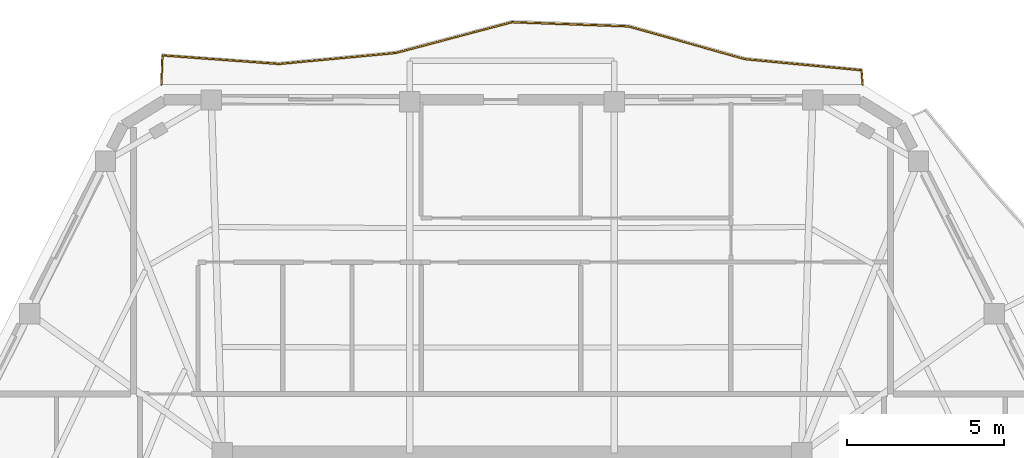
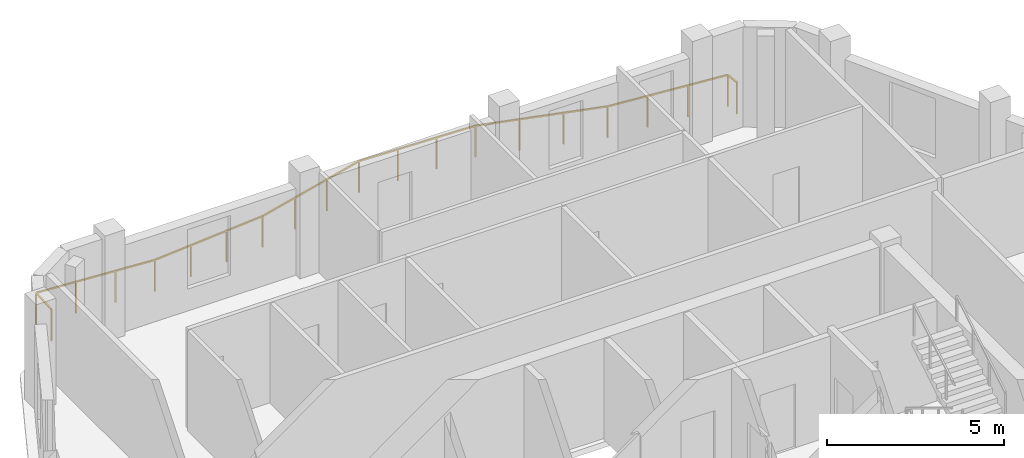
# One storey, part 10 of 10: 1 railing.
"""IFC4 building model written with IfcOpenShell, lengths in metres."""

from ifc_helpers import new_model, si_unit, direction, frame, origin, origin_2d, place, context, subcontext, project, spatial, rectangle, extrude, material, type_object, element, save


model = new_model("IFC4")

# Units and contexts
model_context = context("Model", 3, precision=1e-05, world=origin(), true_north=direction((0.0, 1.0)))
body_context = subcontext(model_context, "Body", "Model", "MODEL_VIEW")
ifc_project = project(units=[si_unit("LENGTHUNIT", "METRE"), si_unit("AREAUNIT", "SQUARE_METRE"), si_unit("VOLUMEUNIT", "CUBIC_METRE"), si_unit("PLANEANGLEUNIT", "RADIAN"), si_unit("MASSUNIT", "GRAM", prefix="KILO")], contexts=[model_context])

# Site, building, storey
site_placement = place(None, origin())
site = spatial("IfcSite", under=ifc_project, at=site_placement, CompositionType="ELEMENT")
building_placement = place(site_placement, origin())
building = spatial("IfcBuilding", under=site, at=building_placement, Name="Cinnabar Lancet Tower", CompositionType="ELEMENT")
storey_placement = place(building_placement, frame((0.0, 0.0, 263.5)))
storey = spatial("IfcBuildingStorey", under=building, at=storey_placement, Name="L70", CompositionType="ELEMENT", Elevation=263.5)

# Railing
ifc_material = material(Name="Laminated safety glass and bronze stainless steel balustrade", Category="steel")
railing_type = type_object("IfcRailingType", Name="ENV-RLG-BAL-1100", PredefinedType="BALUSTRADE", material=ifc_material)
railing_placement = place(storey_placement, frame((43.56396484375, 44.85009765625, 0.0)))
element("IfcRailing", 1, at=railing_placement, inside=storey, type_object=railing_type, Name="L70 Face 4 Wave Balcony Balustrade", PredefinedType="BALUSTRADE", context=body_context, shape_type="SweptSolid", body=[
    extrude(rectangle(XDim=0.048095703125, YDim=0.048095703125, at=origin_2d()), frame((0.0, 0.0, 1.076171875), z_axis=(-0.076207457844, 0.997091983404, 0.0), x_axis=(-0.997091983404, -0.076207457844, 0.0)), (0.0, 0.0, 1.0), 0.4580078125),
    extrude(rectangle(XDim=0.048095703125, YDim=0.048095703125, at=origin_2d()), frame((-0.034912109375, 0.456787109375, 1.076171875), z_axis=(-0.995478379881, 0.094988395027, 0.0), x_axis=(-0.094988395027, -0.995478379881, 0.0)), (0.0, 0.0, 1.0), 3.726806640625),
    extrude(rectangle(XDim=0.048095703125, YDim=0.048095703125, at=origin_2d()), frame((-3.744873046875, 0.810791015625, 1.076171875), z_axis=(-0.962670027568, 0.270677701375, 0.0), x_axis=(-0.270677701375, -0.962670027568, 0.0)), (0.0, 0.0, 1.0), 3.85400390625),
    extrude(rectangle(XDim=0.048095703125, YDim=0.048095703125, at=origin_2d()), frame((-7.455078125, 1.85400390625, 1.076171875), z_axis=(-0.999359497994, 0.035785384868, 0.0), x_axis=(-0.035785384868, -0.999359497994, 0.0)), (0.0, 0.0, 1.0), 3.71142578125),
    extrude(rectangle(XDim=0.048095703125, YDim=0.048095703125, at=origin_2d()), frame((-11.1640625, 1.98681640625, 1.076171875), z_axis=(-0.966742266425, -0.255752595898, 0.0), x_axis=(0.255752595898, -0.966742266425, 0.0)), (0.0, 0.0, 1.0), 3.83544921875),
    extrude(rectangle(XDim=0.048095703125, YDim=0.048095703125, at=origin_2d()), frame((-14.8720703125, 1.005859375, 1.076171875), z_axis=(-0.995631942415, -0.093365064355, 0.0), x_axis=(0.093365064355, -0.995631942415, 0.0)), (0.0, 0.0, 1.0), 3.726318359375),
    extrude(rectangle(XDim=0.048095703125, YDim=0.048095703125, at=origin_2d()), frame((-18.58203125, 0.657958984375, 1.076171875), z_axis=(-0.997326499234, 0.07307430414, 0.0), x_axis=(-0.07307430414, -0.997326499234, 0.0)), (0.0, 0.0, 1.0), 3.721923828125),
    extrude(rectangle(XDim=0.048095703125, YDim=0.048095703125, at=origin_2d()), frame((-22.2939453125, 0.929931640625, 1.076171875), z_axis=(-0.03646824335, -0.999334812376, 0.0), x_axis=(0.999334812376, -0.03646824335, 0.0)), (0.0, 0.0, 1.0), 0.9306640625),
    extrude(rectangle(XDim=0.0419921875, YDim=0.0419921875, at=origin_2d()), origin(), (0.0, 0.0, 1.0), 1.052001953125),
    extrude(rectangle(XDim=0.0419921875, YDim=0.0419921875, at=origin_2d()), frame((-0.034912109375, 0.456787109375, 0.0)), (0.0, 0.0, 1.0), 1.052001953125),
    extrude(rectangle(XDim=0.0419921875, YDim=0.0419921875, at=origin_2d()), frame((-1.271484375, 0.57470703125, 0.0)), (0.0, 0.0, 1.0), 1.052001953125),
    extrude(rectangle(XDim=0.0419921875, YDim=0.0419921875, at=origin_2d()), frame((-2.50830078125, 0.69287109375, 0.0)), (0.0, 0.0, 1.0), 1.052001953125),
    extrude(rectangle(XDim=0.0419921875, YDim=0.0419921875, at=origin_2d()), frame((-3.744873046875, 0.810791015625, 0.0)), (0.0, 0.0, 1.0), 1.052001953125),
    extrude(rectangle(XDim=0.0419921875, YDim=0.0419921875, at=origin_2d()), frame((-4.981689453125, 1.158447265625, 0.0)), (0.0, 0.0, 1.0), 1.052001953125),
    extrude(rectangle(XDim=0.0419921875, YDim=0.0419921875, at=origin_2d()), frame((-6.21826171875, 1.50634765625, 0.0)), (0.0, 0.0, 1.0), 1.052001953125),
    extrude(rectangle(XDim=0.0419921875, YDim=0.0419921875, at=origin_2d()), frame((-7.455078125, 1.85400390625, 0.0)), (0.0, 0.0, 1.0), 1.052001953125),
    extrude(rectangle(XDim=0.0419921875, YDim=0.0419921875, at=origin_2d()), frame((-8.69140625, 1.898193359375, 0.0)), (0.0, 0.0, 1.0), 1.052001953125),
    extrude(rectangle(XDim=0.0419921875, YDim=0.0419921875, at=origin_2d()), frame((-9.927734375, 1.942626953125, 0.0)), (0.0, 0.0, 1.0), 1.052001953125),
    extrude(rectangle(XDim=0.0419921875, YDim=0.0419921875, at=origin_2d()), frame((-11.1640625, 1.98681640625, 0.0)), (0.0, 0.0, 1.0), 1.052001953125),
    extrude(rectangle(XDim=0.0419921875, YDim=0.0419921875, at=origin_2d()), frame((-12.400146484375, 1.659912109375, 0.0)), (0.0, 0.0, 1.0), 1.052001953125),
    extrude(rectangle(XDim=0.0419921875, YDim=0.0419921875, at=origin_2d()), frame((-13.635986328125, 1.332763671875, 0.0)), (0.0, 0.0, 1.0), 1.052001953125),
    extrude(rectangle(XDim=0.0419921875, YDim=0.0419921875, at=origin_2d()), frame((-14.8720703125, 1.005859375, 0.0)), (0.0, 0.0, 1.0), 1.052001953125),
    extrude(rectangle(XDim=0.0419921875, YDim=0.0419921875, at=origin_2d()), frame((-16.108642578125, 0.889892578125, 0.0)), (0.0, 0.0, 1.0), 1.052001953125),
    extrude(rectangle(XDim=0.0419921875, YDim=0.0419921875, at=origin_2d()), frame((-17.345458984375, 0.77392578125, 0.0)), (0.0, 0.0, 1.0), 1.052001953125),
    extrude(rectangle(XDim=0.0419921875, YDim=0.0419921875, at=origin_2d()), frame((-18.58203125, 0.657958984375, 0.0)), (0.0, 0.0, 1.0), 1.052001953125),
    extrude(rectangle(XDim=0.0419921875, YDim=0.0419921875, at=origin_2d()), frame((-19.8193359375, 0.74853515625, 0.0)), (0.0, 0.0, 1.0), 1.052001953125),
    extrude(rectangle(XDim=0.0419921875, YDim=0.0419921875, at=origin_2d()), frame((-21.056640625, 0.83935546875, 0.0)), (0.0, 0.0, 1.0), 1.052001953125),
    extrude(rectangle(XDim=0.0419921875, YDim=0.0419921875, at=origin_2d()), frame((-22.2939453125, 0.929931640625, 0.0)), (0.0, 0.0, 1.0), 1.052001953125),
    extrude(rectangle(XDim=0.0419921875, YDim=0.0419921875, at=origin_2d()), frame((-22.327880859375, 0.0, 0.0)), (0.0, 0.0, 1.0), 1.052001953125),
])

save(model, "model.ifc")
